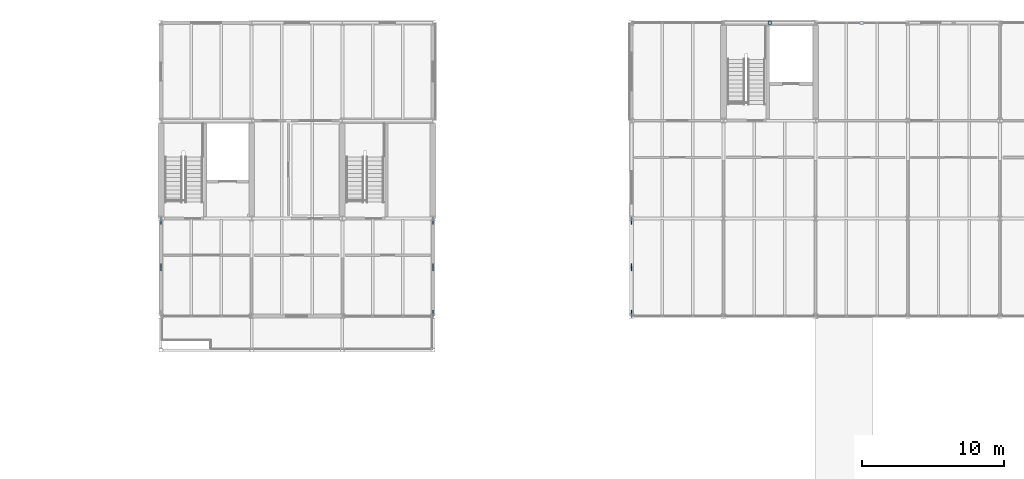
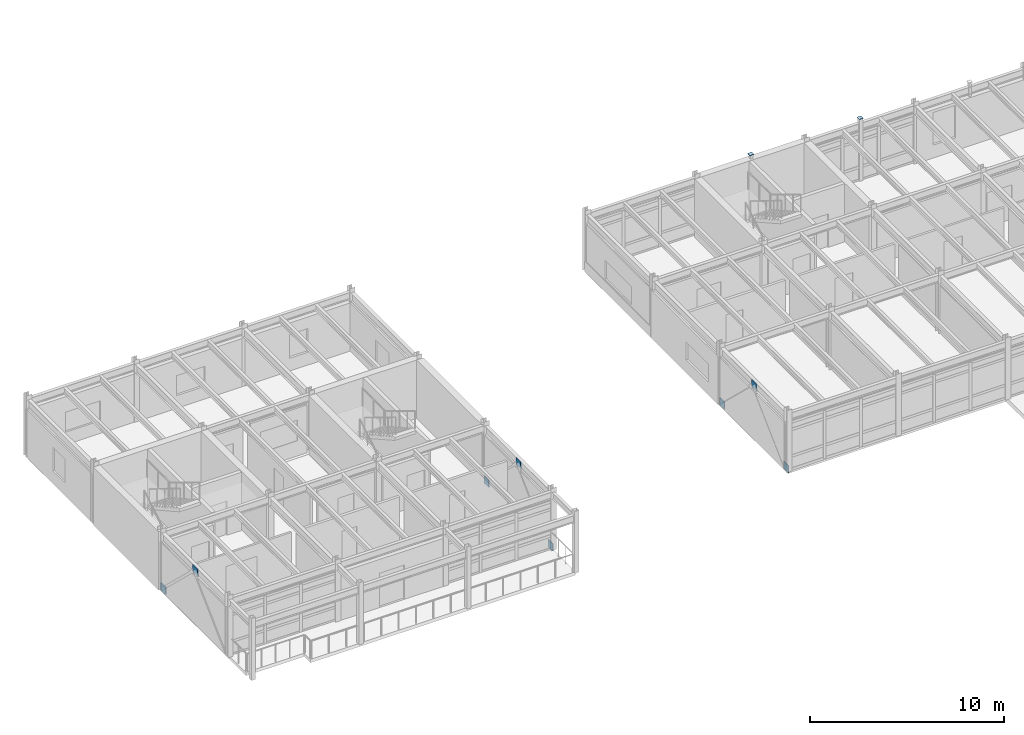
# One storey, part 35 of 49: 10 plates.
"""IFC4 building model written with IfcOpenShell, lengths in metres."""

import ifcopenshell
import ifcopenshell.guid

model = None  # the IFC model being written
_history = None  # IfcOwnerHistory: only IFC2X3 demands one
_inside = {}  # id of a spatial element -> (the spatial element, [elements in it])
_under = {}  # id of a project, library or spatial element -> (it, [spatial elements below it])
_declared = {}  # id of a project -> (the project, [libraries it declares])
_typed = {}  # id of a type object -> (the type object, [elements of that type])
_made_of = {}  # id of a material, layer set ... -> (it, [elements and type objects made of it])


def new_model(schema):
    """Start an empty IFC model of exactly this schema.

    Asked for "IFC4X3", IfcOpenShell would pick the latest addendum, in which some entities
    have other attributes; the version numbers below select the first issue.
    IFC2X3 requires an IfcOwnerHistory on every rooted entity: one is made here for all.
    """
    global model, _history
    if schema == "IFC4X3":
        model = ifcopenshell.file(schema_version=(4, 3, 0, 0))
    else:
        model = ifcopenshell.file(schema=schema)
    _inside.clear()
    _under.clear()
    _declared.clear()
    _typed.clear()
    _made_of.clear()
    _history = None
    if model.schema == "IFC2X3":
        org = make("IfcOrganization", Name="unknown")
        user = make(
            "IfcPersonAndOrganization",
            ThePerson=make("IfcPerson", FamilyName="unknown"),
            TheOrganization=org,
        )
        app = make(
            "IfcApplication",
            ApplicationDeveloper=org,
            Version="unknown",
            ApplicationFullName="unknown",
            ApplicationIdentifier="unknown",
        )
        _history = make(
            "IfcOwnerHistory",
            OwningUser=user,
            OwningApplication=app,
            ChangeAction="ADDED",
            CreationDate=0,
        )
    return model


def make(cls, **values):
    """One entity of the class cls with the attributes given. An attribute that is None is left unset."""
    return model.create_entity(
        cls, **{name: value for name, value in values.items() if value is not None}
    )


def rooted(cls, **values):
    """An entity with a GlobalId (a new one), such as an element, a storey or a relation."""
    return make(cls, GlobalId=ifcopenshell.guid.new(), OwnerHistory=_history, **values)


def si_unit(unit_type, name, prefix=None):
    """IfcSIUnit, for example si_unit("LENGTHUNIT", "METRE", prefix="MILLI")."""
    return make("IfcSIUnit", UnitType=unit_type, Prefix=prefix, Name=name)


def assignment(units):
    """IfcUnitAssignment: the units of a project."""
    return None if units is None else make("IfcUnitAssignment", Units=units)


def point(xyz):
    """IfcCartesianPoint."""
    return None if xyz is None else make("IfcCartesianPoint", Coordinates=xyz)


def direction(xyz):
    """IfcDirection."""
    return None if xyz is None else make("IfcDirection", DirectionRatios=xyz)


def frame(location, z_axis=None, x_axis=None):
    """IfcAxis2Placement3D, a coordinate frame: its origin and axes. An axis left out is left unset."""
    return make(
        "IfcAxis2Placement3D",
        Location=point(location),
        Axis=direction(z_axis),
        RefDirection=direction(x_axis),
    )


def frame_2d(location, x_axis=None):
    """IfcAxis2Placement2D, a coordinate frame in the plane: its origin and x axis."""
    return make(
        "IfcAxis2Placement2D", Location=point(location), RefDirection=direction(x_axis)
    )


def origin():
    """The frame at (0, 0, 0) with its axes left unset."""
    return frame((0.0, 0.0, 0.0))


def origin_2d():
    """The frame at (0, 0) in the plane with its x axis left unset."""
    return frame_2d((0.0, 0.0))


def place(relative_to, where):
    """IfcLocalPlacement: puts the frame where relative to a parent placement (None: the world)."""
    return make(
        "IfcLocalPlacement", PlacementRelTo=relative_to, RelativePlacement=where
    )


def context(
    kind, dimensions, precision=None, world=None, true_north=None, identifier=None
):
    """IfcGeometricRepresentationContext, for example the 3D "Model" context."""
    return make(
        "IfcGeometricRepresentationContext",
        ContextIdentifier=identifier,
        ContextType=kind,
        CoordinateSpaceDimension=dimensions,
        Precision=precision,
        WorldCoordinateSystem=world,
        TrueNorth=true_north,
    )


def subcontext(parent, identifier, kind, view, scale=None):
    """IfcGeometricRepresentationSubContext, for example "Body" below "Model"."""
    return make(
        "IfcGeometricRepresentationSubContext",
        ContextIdentifier=identifier,
        ContextType=kind,
        ParentContext=parent,
        TargetScale=scale,
        TargetView=view,
    )


def project(units=None, contexts=None):
    """IfcProject with its units and contexts."""
    return rooted(
        "IfcProject",
        Name="project",
        RepresentationContexts=contexts,
        UnitsInContext=assignment(units),
    )


def spatial(cls, under=None, at=None, **own):
    """A site, building, storey or space (cls), placed at a placement, below another one or the project."""
    s = rooted(cls, ObjectPlacement=at, **own)
    if under is not None:
        _under.setdefault(under.id(), (under, []))[1].append(s)
    return s


def profile(cls, at=None, kind="AREA", **sizes):
    """A parametric profile (cls). Its sizes go by their IFC names, for example OverallWidth=200.0."""
    return make(cls, ProfileType=kind, Position=at, **sizes)


def rectangle(**sizes):
    """IfcRectangleProfileDef."""
    return profile("IfcRectangleProfileDef", **sizes)


def extrude(swept, where, along, depth):
    """IfcExtrudedAreaSolid: the profile swept, set in the frame where, extruded along a direction by depth."""
    return make(
        "IfcExtrudedAreaSolid",
        SweptArea=swept,
        Position=where,
        ExtrudedDirection=direction(along),
        Depth=depth,
    )


def shape(context_of_items, identifier, shape_type, items):
    """IfcShapeRepresentation: the items that make up one representation, for example the "Body"."""
    return make(
        "IfcShapeRepresentation",
        ContextOfItems=context_of_items,
        RepresentationIdentifier=identifier,
        RepresentationType=shape_type,
        Items=items,
    )


def material(Name=None, Category=None):
    """IfcMaterial."""
    return make("IfcMaterial", Name=Name, Category=Category)


def layer(
    of_material, thickness, ventilated=None, Name=None, Category=None, Priority=None
):
    """IfcMaterialLayer: one layer of a wall or slab, of a material (None: an air gap)."""
    return make(
        "IfcMaterialLayer",
        Material=of_material,
        LayerThickness=thickness,
        IsVentilated=ventilated,
        Name=Name,
        Category=Category,
        Priority=Priority,
    )


def layer_set(layers, Name=None):
    """IfcMaterialLayerSet."""
    return make("IfcMaterialLayerSet", MaterialLayers=layers, LayerSetName=Name)


def made_of(thing, what):
    """Note that an element or type object is made of a material, layer set ...; save() writes the relation."""
    if what is not None:
        _made_of.setdefault(what.id(), (what, []))[1].append(thing)
    return thing


def type_object(cls, material=None, **own):
    """A type object (cls), such as IfcWallType, which elements share."""
    return made_of(rooted(cls, **own), material)


def element(
    cls,
    number,
    at=None,
    inside=None,
    cuts=None,
    type_object=None,
    material=None,
    context=None,
    identifier="Body",
    shape_type=None,
    held_by="IfcProductDefinitionShape",
    body=None,
    shapes=None,
    **own,
):
    """One element of the class cls, such as IfcWall. Its Tag is "e" and its number.

    at: its placement. inside: the storey or other place that contains it. cuts: it is an
    opening in that element (IfcRelVoidsElement). A single representation is given by context,
    identifier, shape_type and body (its items); several are given by shapes. held_by: the class
    of the entity that holds the representations. save() writes the other relations.
    """
    e = rooted(cls, Tag="e%d" % number, ObjectPlacement=at, **own)
    if body is not None:
        shapes = [shape(context, identifier, shape_type, body)]
    if shapes is not None:
        e.Representation = make(held_by, Representations=shapes)
    if inside is not None:
        _inside.setdefault(inside.id(), (inside, []))[1].append(e)
    if cuts is not None:
        rooted(
            "IfcRelVoidsElement", RelatingBuildingElement=cuts, RelatedOpeningElement=e
        )
    if type_object is not None:
        _typed.setdefault(type_object.id(), (type_object, []))[1].append(e)
    return made_of(e, material)


def aggregate(whole, parts):
    """IfcRelAggregates: a whole, such as a stair, and the parts it consists of."""
    return rooted("IfcRelAggregates", RelatingObject=whole, RelatedObjects=parts)


def save(model, path):
    """Write the relations noted so far, then the file.

    IfcRelAggregates (storeys below a building ...), IfcRelContainedInSpatialStructure (elements
    in a storey), IfcRelDefinesByType, IfcRelAssociatesMaterial and IfcRelDeclares: one each for
    every whole, place, type object, material and project.
    """
    for whole, parts in _under.values():
        aggregate(whole, parts)
    for where, things in _inside.values():
        rooted(
            "IfcRelContainedInSpatialStructure",
            RelatedElements=things,
            RelatingStructure=where,
        )
    for kind, things in _typed.values():
        rooted("IfcRelDefinesByType", RelatedObjects=things, RelatingType=kind)
    for what, things in _made_of.values():
        rooted("IfcRelAssociatesMaterial", RelatedObjects=things, RelatingMaterial=what)
    for by, libraries in _declared.values():
        rooted("IfcRelDeclares", RelatingContext=by, RelatedDefinitions=libraries)
    model.write(path)


model = new_model("IFC4")

# Units and contexts
model_context = context("Model", 3, precision=1e-05, world=origin(), true_north=direction((0.0, 1.0)))
body_context = subcontext(model_context, "Body", "Model", "MODEL_VIEW")
ifc_project = project(units=[si_unit("LENGTHUNIT", "METRE"), si_unit("AREAUNIT", "SQUARE_METRE"), si_unit("VOLUMEUNIT", "CUBIC_METRE"), si_unit("PLANEANGLEUNIT", "RADIAN"), si_unit("MASSUNIT", "GRAM", prefix="KILO")], contexts=[model_context])

# Site, building, storey
site_placement = place(None, origin())
site = spatial("IfcSite", under=ifc_project, at=site_placement, CompositionType="ELEMENT")
building_placement = place(site_placement, origin())
building = spatial("IfcBuilding", under=site, at=building_placement, Name="Trelmorton Wharf Fire Station", CompositionType="ELEMENT")
storey_placement = place(building_placement, frame((0.0, 0.0, 9.60009765625)))
storey = spatial("IfcBuildingStorey", under=building, at=storey_placement, Name="L02", CompositionType="ELEMENT", Elevation=9.60009765625)

# Plates
ifc_material = material(Name="Steel Grade 350", Category="steel")
ifc_layer_1 = layer(ifc_material, 0.011962890625)
ifc_layer_set_1 = layer_set([ifc_layer_1], Name="Steel Grade 350")
plate_type_1 = type_object("IfcPlateType", Name="PL_ENDCAP_12", PredefinedType="SHEET", material=ifc_layer_set_1)
for number, where, z_axis, x_axis, name in (
    (1, (113.75, 81.0, 3.89794921875), (0.0, 0.0, 1.0), (1.0, 0.0, 0.0), "PL-PILCAP-T-003"),
    (2, (120.25, 81.0, 3.89794921875), (0.0, 0.0, 1.0), (1.0, 0.0, 0.0), "PL-PILCAP-T-011"),
):
    element("IfcPlate", number, at=place(storey_placement, frame(where, z_axis=z_axis, x_axis=x_axis)), inside=storey, type_object=plate_type_1, Name=name, PredefinedType="SHEET", context=body_context, shape_type="SweptSolid", body=[
        extrude(rectangle(XDim=0.239990234375, YDim=0.239990234375, at=origin_2d()), origin(), (0.0, 0.0, 1.0), 0.02001953125),
    ])
ifc_layer_2 = layer(ifc_material, 0.050048828125)
ifc_layer_set_2 = layer_set([ifc_layer_2], Name="Steel Grade 350")
plate_type_2 = type_object("IfcPlateType", Name="PL_GUSSET_TN2", PredefinedType="USERDEFINED", material=ifc_layer_set_2)
for number, where, z_axis, x_axis, name in (
    (3, (70.800048828125, 67.04248046875, -0.10498046875), (0.0, 0.0, 1.0), (1.0, 0.0, 0.0), "PL-CBF-0407"),
    (4, (70.800048828125, 63.75, 3.0546875), (0.0, 0.0, 1.0), (1.0, 0.0, 0.0), "PL-CBF-0408"),
    (5, (90.0, 60.45458984375, -0.10498046875), (0.0, 0.0, 1.0), (1.0, 0.0, 0.0), "PL-CBF-0427"),
    (6, (90.0, 67.04248046875, -0.10498046875), (0.0, 0.0, 1.0), (1.0, 0.0, 0.0), "PL-CBF-0428"),
    (7, (90.0, 63.75, 3.0546875), (0.0, 0.0, 1.0), (1.0, 0.0, 0.0), "PL-CBF-0429"),
    (8, (104.0, 60.45458984375, -0.10498046875), (0.0, 0.0, 1.0), (1.0, 0.0, 0.0), "PL-CBF-0445"),
    (9, (104.0, 67.04541015625, -0.10498046875), (0.0, 0.0, 1.0), (1.0, 0.0, 0.0), "PL-CBF-0446"),
    (10, (104.0, 63.75, 3.0546875), (0.0, 0.0, 1.0), (1.0, 0.0, 0.0), "PL-CBF-0447"),
):
    element("IfcPlate", number, at=place(storey_placement, frame(where, z_axis=z_axis, x_axis=x_axis)), inside=storey, type_object=plate_type_2, Name=name, ObjectType="GUSSET PLATE", PredefinedType="USERDEFINED", context=body_context, shape_type="SweptSolid", body=[
        extrude(rectangle(XDim=0.050048828125, YDim=0.5, at=origin_2d()), origin(), (0.0, 0.0, 1.0), 0.449951171875),
    ])

save(model, "model.ifc")
